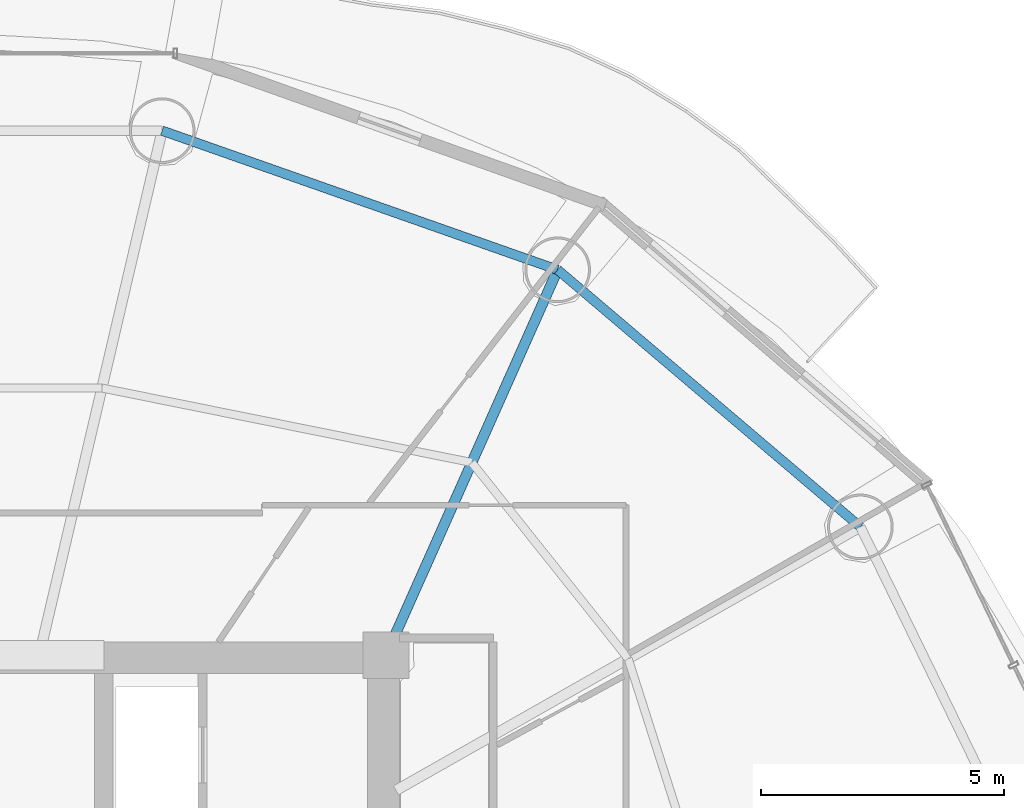
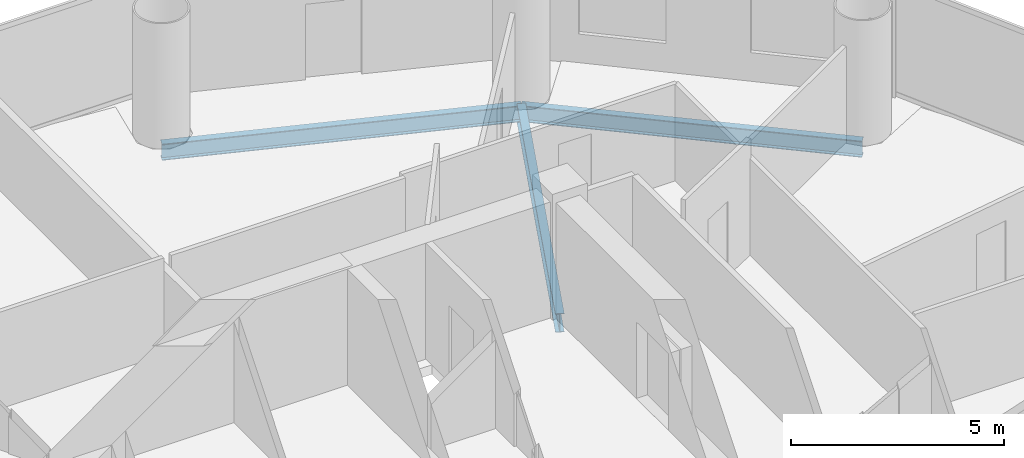
# One storey, part 17 of 26: 3 beams.
"""IFC4 building model written with IfcOpenShell, lengths in metres."""

from ifc_helpers import new_model, si_unit, direction, frame, origin, origin_2d, place, context, subcontext, project, spatial, i_section, extrude, material, material_profile, profile_set, type_object, element, save


model = new_model("IFC4")

# Units and contexts
model_context = context("Model", 3, precision=1e-05, world=origin(), true_north=direction((-0.2419218956, 0.970295726276)))
body_context = subcontext(model_context, "Body", "Model", "MODEL_VIEW")
ifc_project = project(units=[si_unit("LENGTHUNIT", "METRE"), si_unit("AREAUNIT", "SQUARE_METRE"), si_unit("VOLUMEUNIT", "CUBIC_METRE"), si_unit("PLANEANGLEUNIT", "RADIAN"), si_unit("MASSUNIT", "GRAM", prefix="KILO")], contexts=[model_context])

# Site, building, storey
site_placement = place(None, origin())
site = spatial("IfcSite", under=ifc_project, at=site_placement, CompositionType="ELEMENT")
building_placement = place(site_placement, origin())
building = spatial("IfcBuilding", under=site, at=building_placement, Name="Cobrevalo Terracotta Tower", CompositionType="ELEMENT")
storey_placement = place(building_placement, frame((0.0, 0.0, 171.39990234375)))
storey = spatial("IfcBuildingStorey", under=building, at=storey_placement, Name="L45", CompositionType="ELEMENT", Elevation=171.39990234375)

# Beams
ifc_material = material(Name="Steel S355", Category="steel")
ifc_material_profile_1 = material_profile(ifc_material, i_section(OverallWidth=0.2109375, OverallDepth=0.5390625, WebThickness=0.01171875, FlangeThickness=0.018798828125, at=origin_2d()), Name="W 530x109")
ifc_profile_set_1 = profile_set([ifc_material_profile_1], Name="Steel S355")
beam_type_1 = type_object("IfcBeamType", Name="Structural Beam W 530x109 (Steel S355)", PredefinedType="BEAM", material=ifc_profile_set_1)
beam_1_placement = place(storey_placement, frame((50.528076171875, 42.72265625, -0.539306640625), z_axis=(-0.406804395691, -0.913515289224, 0.0), x_axis=(0.913515289224, -0.406804395691, 0.0)))
element("IfcBeam", 1, at=beam_1_placement, inside=storey, type_object=beam_type_1, Name="L45 radial floor girder 03", PredefinedType="BEAM", context=body_context, shape_type="SweptSolid", body=[
    extrude(i_section(OverallWidth=0.2109375, OverallDepth=0.5390625, WebThickness=0.01171875, FlangeThickness=0.018798828125, at=origin_2d()), origin(), (0.0, 0.0, 1.0), 8.672607421875),
])
ifc_material_profile_2 = material_profile(ifc_material, i_section(OverallWidth=0.194091796875, OverallDepth=0.468994140625, WebThickness=0.011474609375, FlangeThickness=0.0205078125, at=origin_2d()), Name="W 460x106")
ifc_profile_set_2 = profile_set([ifc_material_profile_2], Name="Steel S355")
beam_type_2 = type_object("IfcBeamType", Name="Structural Spandrel W 460x106 (Steel S355)", PredefinedType="SPANDREL", material=ifc_profile_set_2)
beam_2_placement = place(storey_placement, frame((56.749755859375, 37.439208984375, -0.50439453125), z_axis=(-0.762240337798, 0.647294112003, 0.0), x_axis=(-0.647294112003, -0.762240337798, 0.0)))
element("IfcBeam", 2, at=beam_2_placement, inside=storey, type_object=beam_type_2, Name="L45 perimeter ring spandrel 02", PredefinedType="SPANDREL", context=body_context, shape_type="SweptSolid", body=[
    extrude(i_section(OverallWidth=0.194091796875, OverallDepth=0.468994140625, WebThickness=0.011474609375, FlangeThickness=0.0205078125, at=origin_2d()), origin(), (0.0, 0.0, 1.0), 8.162353515625),
])
beam_3_placement = place(storey_placement, frame((50.528076171875, 42.72265625, -0.50439453125), z_axis=(-0.943341298492, 0.331824041565, 0.0), x_axis=(-0.331824041565, -0.943341298492, 0.0)))
element("IfcBeam", 3, at=beam_3_placement, inside=storey, type_object=beam_type_2, Name="L45 perimeter ring spandrel 03", PredefinedType="SPANDREL", context=body_context, shape_type="SweptSolid", body=[
    extrude(i_section(OverallWidth=0.194091796875, OverallDepth=0.468994140625, WebThickness=0.011474609375, FlangeThickness=0.0205078125, at=origin_2d()), origin(), (0.0, 0.0, 1.0), 8.6171875),
])

save(model, "model.ifc")
